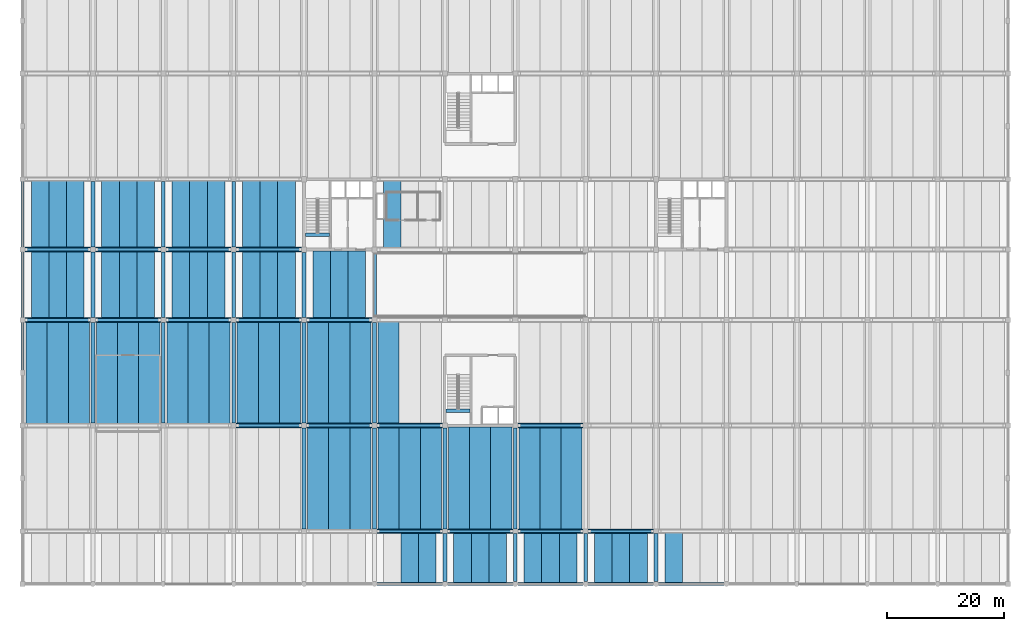
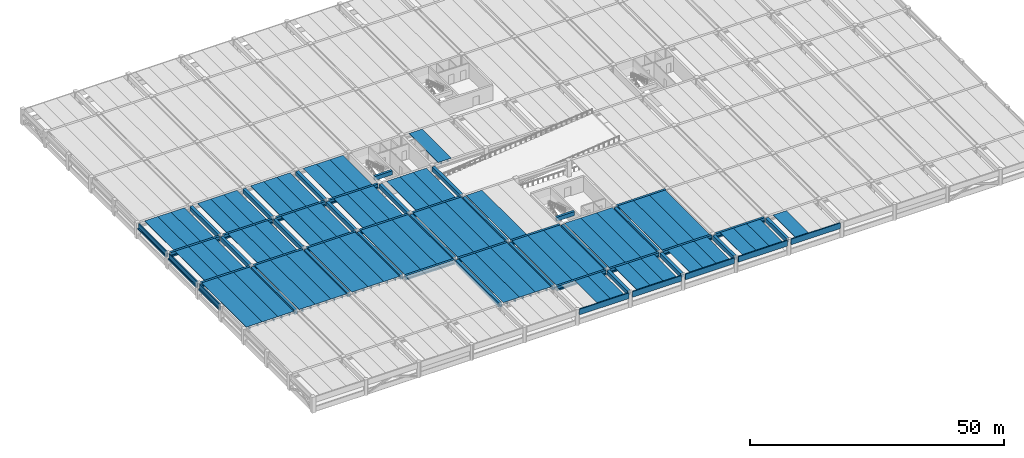
# One storey, part 2 of 19: 116 beams.
"""IFC4 building model written with IfcOpenShell, lengths in metres."""

from ifc_helpers import new_model, si_unit, direction, frame, origin, origin_2d, place, context, subcontext, project, spatial, polyline, rectangle, outline, extrude, material, material_profile, profile_set, type_object, element, save


model = new_model("IFC4")

# Units and contexts
model_context = context("Model", 3, precision=1e-05, world=origin(), true_north=direction((0.0, 1.0)))
body_context = subcontext(model_context, "Body", "Model", "MODEL_VIEW")
ifc_project = project(units=[si_unit("LENGTHUNIT", "METRE"), si_unit("AREAUNIT", "SQUARE_METRE"), si_unit("VOLUMEUNIT", "CUBIC_METRE"), si_unit("PLANEANGLEUNIT", "RADIAN"), si_unit("MASSUNIT", "GRAM", prefix="KILO")], contexts=[model_context])

# Site, building, storey
site_placement = place(None, origin())
site = spatial("IfcSite", under=ifc_project, at=site_placement, CompositionType="ELEMENT")
building_placement = place(site_placement, origin())
building = spatial("IfcBuilding", under=site, at=building_placement, Name="Girod Span Mobility Hub", CompositionType="ELEMENT")
storey_placement = place(building_placement, frame((0.0, 0.0, 13.39990234375)))
storey = spatial("IfcBuildingStorey", under=building, at=storey_placement, Name="L03", CompositionType="ELEMENT", Elevation=13.39990234375)

# Beams
ifc_material_1 = material(Name="Concrete C50/60", Category="concrete")
ifc_material_profile_1 = material_profile(ifc_material_1, outline(polyline([(-1.5, 0.35009765625), (-1.5, 0.2548828125), (-0.840087890625, 0.2548828125), (-0.81494140625, -0.35009765625), (-0.68505859375, -0.35009765625), (-0.659912109375, 0.2548828125), (0.659912109375, 0.2548828125), (0.68505859375, -0.35009765625), (0.81494140625, -0.35009765625), (0.840087890625, 0.2548828125), (1.5, 0.2548828125), (1.5, 0.35009765625), (-1.5, 0.35009765625)])), Name="DT-3000X700")
ifc_profile_set_1 = profile_set([ifc_material_profile_1], Name="Concrete C50/60")
beam_type_1 = type_object("IfcBeamType", Name="BM-DT-3000X700", PredefinedType="JOIST", material=ifc_profile_set_1)
for number, where, z_axis, x_axis, name in (
    (1, (3.0, 45.2470703125, 3.26513671875), (0.0, 1.0, 0.0), (-1.0, 0.0, 0.0), "Double-Tee Deck 1/D-1 L03"),
    (2, (6.0, 45.2470703125, 3.26513671875), (0.0, 1.0, 0.0), (-1.0, 0.0, 0.0), "Double-Tee Deck 1/D-2 L03"),
    (3, (9.0, 45.2470703125, 3.26513671875), (0.0, 1.0, 0.0), (-1.0, 0.0, 0.0), "Double-Tee Deck 1/D-3 L03"),
    (4, (3.0, 57.2470703125, 3.26513671875), (0.0, 1.0, 0.0), (-1.0, 0.0, 0.0), "Double-Tee Deck 1/E-1 L03"),
    (5, (6.0, 57.2470703125, 3.26513671875), (0.0, 1.0, 0.0), (-1.0, 0.0, 0.0), "Double-Tee Deck 1/E-2 L03"),
    (6, (9.0, 57.2470703125, 3.26513671875), (0.0, 1.0, 0.0), (-1.0, 0.0, 0.0), "Double-Tee Deck 1/E-3 L03"),
    (7, (15.0, 45.2470703125, 3.26513671875), (0.0, 1.0, 0.0), (-1.0, 0.0, 0.0), "Double-Tee Deck 2/D-1 L03"),
    (8, (18.0, 45.2470703125, 3.26513671875), (0.0, 1.0, 0.0), (-1.0, 0.0, 0.0), "Double-Tee Deck 2/D-2 L03"),
    (9, (21.0, 45.2470703125, 3.26513671875), (0.0, 1.0, 0.0), (-1.0, 0.0, 0.0), "Double-Tee Deck 2/D-3 L03"),
    (10, (15.0, 57.2470703125, 3.26513671875), (0.0, 1.0, 0.0), (-1.0, 0.0, 0.0), "Double-Tee Deck 2/E-1 L03"),
    (11, (18.0, 57.2470703125, 3.26513671875), (0.0, 1.0, 0.0), (-1.0, 0.0, 0.0), "Double-Tee Deck 2/E-2 L03"),
    (12, (21.0, 57.2470703125, 3.26513671875), (0.0, 1.0, 0.0), (-1.0, 0.0, 0.0), "Double-Tee Deck 2/E-3 L03"),
    (13, (27.0, 45.2470703125, 3.26513671875), (0.0, 1.0, 0.0), (-1.0, 0.0, 0.0), "Double-Tee Deck 3/D-1 L03"),
    (14, (30.0, 45.2470703125, 3.26513671875), (0.0, 1.0, 0.0), (-1.0, 0.0, 0.0), "Double-Tee Deck 3/D-2 L03"),
    (15, (33.0, 45.2470703125, 3.26513671875), (0.0, 1.0, 0.0), (-1.0, 0.0, 0.0), "Double-Tee Deck 3/D-3 L03"),
    (16, (27.0, 57.2470703125, 3.26513671875), (0.0, 1.0, 0.0), (-1.0, 0.0, 0.0), "Double-Tee Deck 3/E-1 L03"),
    (17, (30.0, 57.2470703125, 3.26513671875), (0.0, 1.0, 0.0), (-1.0, 0.0, 0.0), "Double-Tee Deck 3/E-2 L03"),
    (18, (33.0, 57.2470703125, 3.26513671875), (0.0, 1.0, 0.0), (-1.0, 0.0, 0.0), "Double-Tee Deck 3/E-3 L03"),
    (19, (39.0, 45.2470703125, 3.26513671875), (0.0, 1.0, 0.0), (-1.0, 0.0, 0.0), "Double-Tee Deck 4/D-1 L03"),
    (20, (42.0, 45.2470703125, 3.26513671875), (0.0, 1.0, 0.0), (-1.0, 0.0, 0.0), "Double-Tee Deck 4/D-2 L03"),
    (21, (45.0, 45.2470703125, 3.26513671875), (0.0, 1.0, 0.0), (-1.0, 0.0, 0.0), "Double-Tee Deck 4/D-3 L03"),
    (22, (39.0, 57.2470703125, 3.26513671875), (0.0, 1.0, 0.0), (-1.0, 0.0, 0.0), "Double-Tee Deck 4/E-1 L03"),
    (23, (42.0, 57.2470703125, 3.26513671875), (0.0, 1.0, 0.0), (-1.0, 0.0, 0.0), "Double-Tee Deck 4/E-2 L03"),
    (24, (45.0, 57.2470703125, 3.26513671875), (0.0, 1.0, 0.0), (-1.0, 0.0, 0.0), "Double-Tee Deck 4/E-3 L03"),
    (25, (51.0, 45.2470703125, 3.26513671875), (0.0, 1.0, 0.0), (-1.0, 0.0, 0.0), "Double-Tee Deck 5/D-1 L03"),
    (26, (54.0, 45.2470703125, 3.26513671875), (0.0, 1.0, 0.0), (-1.0, 0.0, 0.0), "Double-Tee Deck 5/D-2 L03"),
    (27, (57.0, 45.2470703125, 3.26513671875), (0.0, 1.0, 0.0), (-1.0, 0.0, 0.0), "Double-Tee Deck 5/D-3 L03"),
):
    element("IfcBeam", number, at=place(storey_placement, frame(where, z_axis=z_axis, x_axis=x_axis)), inside=storey, type_object=beam_type_1, Name=name, PredefinedType="JOIST", context=body_context, shape_type="SweptSolid", body=[
        extrude(outline(polyline([(-1.5, 0.35009765625), (-1.5, 0.2548828125), (-0.840087890625, 0.2548828125), (-0.81494140625, -0.35009765625), (-0.68505859375, -0.35009765625), (-0.659912109375, 0.2548828125), (0.659912109375, 0.2548828125), (0.68505859375, -0.35009765625), (0.81494140625, -0.35009765625), (0.840087890625, 0.2548828125), (1.5, 0.2548828125), (1.5, 0.35009765625), (-1.5, 0.35009765625)])), origin(), (0.0, 0.0, 1.0), 11.505859375),
    ])
for number, where, z_axis, x_axis, name in (
    (28, (66.0, 0.02197265625, 3.26513671875), (0.0, 1.0, 0.0), (-1.0, 0.0, 0.0), "Double-Tee Deck 6/A-2 L03"),
    (29, (69.0, 0.02197265625, 3.26513671875), (0.0, 1.0, 0.0), (-1.0, 0.0, 0.0), "Double-Tee Deck 6/A-3 L03"),
):
    element("IfcBeam", number, at=place(storey_placement, frame(where, z_axis=z_axis, x_axis=x_axis)), inside=storey, type_object=beam_type_1, Name=name, PredefinedType="JOIST", context=body_context, shape_type="SweptSolid", body=[
        extrude(outline(polyline([(-1.5, 0.35009765625), (-1.5, 0.2548828125), (-0.840087890625, 0.2548828125), (-0.81494140625, -0.35009765625), (-0.68505859375, -0.35009765625), (-0.659912109375, 0.2548828125), (0.659912109375, 0.2548828125), (0.68505859375, -0.35009765625), (0.81494140625, -0.35009765625), (0.840087890625, 0.2548828125), (1.5, 0.2548828125), (1.5, 0.35009765625), (-1.5, 0.35009765625)])), origin(), (0.0, 0.0, 1.0), 8.73095703125),
    ])
beam_1_placement = place(storey_placement, frame((63.0, 57.2470703125, 3.26513671875), z_axis=(0.0, 1.0, 0.0), x_axis=(-1.0, 0.0, 0.0)))
element("IfcBeam", 30, at=beam_1_placement, inside=storey, type_object=beam_type_1, Name="Double-Tee Deck 6/E-1 L03", PredefinedType="JOIST", context=body_context, shape_type="SweptSolid", body=[
    extrude(outline(polyline([(-1.5, 0.35009765625), (-1.5, 0.2548828125), (-0.840087890625, 0.2548828125), (-0.81494140625, -0.35009765625), (-0.68505859375, -0.35009765625), (-0.659912109375, 0.2548828125), (0.659912109375, 0.2548828125), (0.68505859375, -0.35009765625), (0.81494140625, -0.35009765625), (0.840087890625, 0.2548828125), (1.5, 0.2548828125), (1.5, 0.35009765625), (-1.5, 0.35009765625)])), origin(), (0.0, 0.0, 1.0), 11.505859375),
])
for number, where, z_axis, x_axis, name in (
    (31, (75.0, 0.02197265625, 3.26513671875), (0.0, 1.0, 0.0), (-1.0, 0.0, 0.0), "Double-Tee Deck 7/A-1 L03"),
    (32, (78.0, 0.02197265625, 3.26513671875), (0.0, 1.0, 0.0), (-1.0, 0.0, 0.0), "Double-Tee Deck 7/A-2 L03"),
    (33, (81.0, 0.02197265625, 3.26513671875), (0.0, 1.0, 0.0), (-1.0, 0.0, 0.0), "Double-Tee Deck 7/A-3 L03"),
    (34, (87.0, 0.02197265625, 3.26513671875), (0.0, 1.0, 0.0), (-1.0, 0.0, 0.0), "Double-Tee Deck 8/A-1 L03"),
    (35, (90.0, 0.02197265625, 3.26513671875), (0.0, 1.0, 0.0), (-1.0, 0.0, 0.0), "Double-Tee Deck 8/A-2 L03"),
    (36, (93.0, 0.02197265625, 3.26513671875), (0.0, 1.0, 0.0), (-1.0, 0.0, 0.0), "Double-Tee Deck 8/A-3 L03"),
    (37, (99.0, 0.02197265625, 3.26513671875), (0.0, 1.0, 0.0), (-1.0, 0.0, 0.0), "Double-Tee Deck 9/A-1 L03"),
    (38, (102.0, 0.02197265625, 3.26513671875), (0.0, 1.0, 0.0), (-1.0, 0.0, 0.0), "Double-Tee Deck 9/A-2 L03"),
    (39, (105.0, 0.02197265625, 3.26513671875), (0.0, 1.0, 0.0), (-1.0, 0.0, 0.0), "Double-Tee Deck 9/A-3 L03"),
    (40, (111.0, 0.02197265625, 3.26513671875), (0.0, 1.0, 0.0), (-1.0, 0.0, 0.0), "Double-Tee Deck 10/A-1 L03"),
):
    element("IfcBeam", number, at=place(storey_placement, frame(where, z_axis=z_axis, x_axis=x_axis)), inside=storey, type_object=beam_type_1, Name=name, PredefinedType="JOIST", context=body_context, shape_type="SweptSolid", body=[
        extrude(outline(polyline([(-1.5, 0.35009765625), (-1.5, 0.2548828125), (-0.840087890625, 0.2548828125), (-0.81494140625, -0.35009765625), (-0.68505859375, -0.35009765625), (-0.659912109375, 0.2548828125), (0.659912109375, 0.2548828125), (0.68505859375, -0.35009765625), (0.81494140625, -0.35009765625), (0.840087890625, 0.2548828125), (1.5, 0.2548828125), (1.5, 0.35009765625), (-1.5, 0.35009765625)])), origin(), (0.0, 0.0, 1.0), 8.73095703125),
    ])
ifc_material_2 = material(Name="Concrete C50/60", Category="concrete")
ifc_material_profile_2 = material_profile(ifc_material_2, outline(polyline([(-1.800048828125, 0.425048828125), (-1.800048828125, 0.324951171875), (-1.0, 0.324951171875), (-0.969970703125, -0.425048828125), (-0.830078125, -0.425048828125), (-0.800048828125, 0.324951171875), (0.800048828125, 0.324951171875), (0.830078125, -0.425048828125), (0.969970703125, -0.425048828125), (1.0, 0.324951171875), (1.800048828125, 0.324951171875), (1.800048828125, 0.425048828125), (-1.800048828125, 0.425048828125)])), Name="DT-3600X850")
ifc_profile_set_2 = profile_set([ifc_material_profile_2], Name="Concrete C50/60")
beam_type_2 = type_object("IfcBeamType", Name="BM-DT-3600X850", PredefinedType="JOIST", material=ifc_profile_set_2)
for number, where, z_axis, x_axis, name in (
    (41, (2.39990234375, 27.2470703125, 3.190185546875), (0.0, 1.0, 0.0), (-1.0, 0.0, 0.0), "Double-Tee Deck 1/C-1 L03"),
    (42, (6.0, 27.2470703125, 3.190185546875), (0.0, 1.0, 0.0), (-1.0, 0.0, 0.0), "Double-Tee Deck 1/C-2 L03"),
    (43, (9.60009765625, 27.2470703125, 3.190185546875), (0.0, 1.0, 0.0), (-1.0, 0.0, 0.0), "Double-Tee Deck 1/C-3 L03"),
    (44, (14.39990234375, 27.2470703125, 3.190185546875), (0.0, 1.0, 0.0), (-1.0, 0.0, 0.0), "Double-Tee Deck 2/C-1 L03"),
    (45, (18.0, 27.2470703125, 3.190185546875), (0.0, 1.0, 0.0), (-1.0, 0.0, 0.0), "Double-Tee Deck 2/C-2 L03"),
    (46, (21.60009765625, 27.2470703125, 3.190185546875), (0.0, 1.0, 0.0), (-1.0, 0.0, 0.0), "Double-Tee Deck 2/C-3 L03"),
    (47, (26.39990234375, 27.2470703125, 3.190185546875), (0.0, 1.0, 0.0), (-1.0, 0.0, 0.0), "Double-Tee Deck 3/C-1 L03"),
    (48, (30.0, 27.2470703125, 3.190185546875), (0.0, 1.0, 0.0), (-1.0, 0.0, 0.0), "Double-Tee Deck 3/C-2 L03"),
    (49, (33.60009765625, 27.2470703125, 3.190185546875), (0.0, 1.0, 0.0), (-1.0, 0.0, 0.0), "Double-Tee Deck 3/C-3 L03"),
    (50, (38.39990234375, 27.2470703125, 3.190185546875), (0.0, 1.0, 0.0), (-1.0, 0.0, 0.0), "Double-Tee Deck 4/C-1 L03"),
    (51, (42.0, 27.2470703125, 3.190185546875), (0.0, 1.0, 0.0), (-1.0, 0.0, 0.0), "Double-Tee Deck 4/C-2 L03"),
    (52, (45.60009765625, 27.2470703125, 3.190185546875), (0.0, 1.0, 0.0), (-1.0, 0.0, 0.0), "Double-Tee Deck 4/C-3 L03"),
    (53, (50.39990234375, 9.2470703125, 3.190185546875), (0.0, 1.0, 0.0), (-1.0, 0.0, 0.0), "Double-Tee Deck 5/B-1 L03"),
    (54, (54.0, 9.2470703125, 3.190185546875), (0.0, 1.0, 0.0), (-1.0, 0.0, 0.0), "Double-Tee Deck 5/B-2 L03"),
    (55, (57.60009765625, 9.2470703125, 3.190185546875), (0.0, 1.0, 0.0), (-1.0, 0.0, 0.0), "Double-Tee Deck 5/B-3 L03"),
    (56, (50.39990234375, 27.2470703125, 3.190185546875), (0.0, 1.0, 0.0), (-1.0, 0.0, 0.0), "Double-Tee Deck 5/C-1 L03"),
    (57, (54.0, 27.2470703125, 3.190185546875), (0.0, 1.0, 0.0), (-1.0, 0.0, 0.0), "Double-Tee Deck 5/C-2 L03"),
    (58, (57.60009765625, 27.2470703125, 3.190185546875), (0.0, 1.0, 0.0), (-1.0, 0.0, 0.0), "Double-Tee Deck 5/C-3 L03"),
    (59, (62.39990234375, 9.2470703125, 3.190185546875), (0.0, 1.0, 0.0), (-1.0, 0.0, 0.0), "Double-Tee Deck 6/B-1 L03"),
    (60, (66.0, 9.2470703125, 3.190185546875), (0.0, 1.0, 0.0), (-1.0, 0.0, 0.0), "Double-Tee Deck 6/B-2 L03"),
    (61, (69.60009765625, 9.2470703125, 3.190185546875), (0.0, 1.0, 0.0), (-1.0, 0.0, 0.0), "Double-Tee Deck 6/B-3 L03"),
    (62, (62.39990234375, 27.2470703125, 3.190185546875), (0.0, 1.0, 0.0), (-1.0, 0.0, 0.0), "Double-Tee Deck 6/C-1 L03"),
):
    element("IfcBeam", number, at=place(storey_placement, frame(where, z_axis=z_axis, x_axis=x_axis)), inside=storey, type_object=beam_type_2, Name=name, PredefinedType="JOIST", context=body_context, shape_type="SweptSolid", body=[
        extrude(outline(polyline([(-1.800048828125, 0.425048828125), (-1.800048828125, 0.324951171875), (-1.0, 0.324951171875), (-0.969970703125, -0.425048828125), (-0.830078125, -0.425048828125), (-0.800048828125, 0.324951171875), (0.800048828125, 0.324951171875), (0.830078125, -0.425048828125), (0.969970703125, -0.425048828125), (1.0, 0.324951171875), (1.800048828125, 0.324951171875), (1.800048828125, 0.425048828125), (-1.800048828125, 0.425048828125)])), origin(), (0.0, 0.0, 1.0), 17.505859375),
    ])
for number, where, z_axis, x_axis, name in (
    (63, (74.39990234375, 9.2470703125, 3.190185546875), (0.0, 1.0, 0.0), (-1.0, 0.0, 0.0), "Double-Tee Deck 7/B-1 L03"),
    (64, (78.0, 9.2470703125, 3.190185546875), (0.0, 1.0, 0.0), (-1.0, 0.0, 0.0), "Double-Tee Deck 7/B-2 L03"),
    (65, (81.60009765625, 9.2470703125, 3.190185546875), (0.0, 1.0, 0.0), (-1.0, 0.0, 0.0), "Double-Tee Deck 7/B-3 L03"),
):
    element("IfcBeam", number, at=place(storey_placement, frame(where, z_axis=z_axis, x_axis=x_axis)), inside=storey, type_object=beam_type_2, Name=name, PredefinedType="JOIST", context=body_context, shape_type="SweptSolid", body=[
        extrude(outline(polyline([(-1.800048828125, 0.425048828125), (-1.800048828125, 0.324951171875), (-1.0, 0.324951171875), (-0.969970703125, -0.425048828125), (-0.830078125, -0.425048828125), (-0.800048828125, 0.324951171875), (0.800048828125, 0.324951171875), (0.830078125, -0.425048828125), (0.969970703125, -0.425048828125), (1.0, 0.324951171875), (1.800048828125, 0.324951171875), (1.800048828125, 0.425048828125), (-1.800048828125, 0.425048828125)])), origin(), (0.0, 0.0, 1.0), 17.531005859375),
    ])
for number, where, z_axis, x_axis, name in (
    (66, (86.39990234375, 9.2470703125, 3.190185546875), (0.0, 1.0, 0.0), (-1.0, 0.0, 0.0), "Double-Tee Deck 8/B-1 L03"),
    (67, (90.0, 9.2470703125, 3.190185546875), (0.0, 1.0, 0.0), (-1.0, 0.0, 0.0), "Double-Tee Deck 8/B-2 L03"),
    (68, (93.60009765625, 9.2470703125, 3.190185546875), (0.0, 1.0, 0.0), (-1.0, 0.0, 0.0), "Double-Tee Deck 8/B-3 L03"),
):
    element("IfcBeam", number, at=place(storey_placement, frame(where, z_axis=z_axis, x_axis=x_axis)), inside=storey, type_object=beam_type_2, Name=name, PredefinedType="JOIST", context=body_context, shape_type="SweptSolid", body=[
        extrude(outline(polyline([(-1.800048828125, 0.425048828125), (-1.800048828125, 0.324951171875), (-1.0, 0.324951171875), (-0.969970703125, -0.425048828125), (-0.830078125, -0.425048828125), (-0.800048828125, 0.324951171875), (0.800048828125, 0.324951171875), (0.830078125, -0.425048828125), (0.969970703125, -0.425048828125), (1.0, 0.324951171875), (1.800048828125, 0.324951171875), (1.800048828125, 0.425048828125), (-1.800048828125, 0.425048828125)])), origin(), (0.0, 0.0, 1.0), 17.505859375),
    ])
ifc_material_3 = material(Name="Concrete C50/60", Category="concrete")
ifc_material_profile_3 = material_profile(ifc_material_3, outline(polyline([(-0.425048828125, -0.47509765625), (0.425048828125, -0.47509765625), (0.425048828125, -0.155029296875), (0.25, -0.155029296875), (0.25, 0.47509765625), (-0.25, 0.47509765625), (-0.25, -0.155029296875), (-0.425048828125, -0.155029296875), (-0.425048828125, -0.47509765625)])), Name="IT-850X950")
ifc_profile_set_3 = profile_set([ifc_material_profile_3], Name="Concrete C50/60")
beam_type_3 = type_object("IfcBeamType", Name="BM-IT-850X950", PredefinedType="T_BEAM", material=ifc_profile_set_3)
for number, where, z_axis, x_axis, name in (
    (69, (60.422119140625, 9.0, 3.14013671875), (1.0, 0.0, 0.0), (0.0, 1.0, 0.0), "Girder 6-7/B L03"),
    (70, (72.422119140625, 9.0, 3.14013671875), (1.0, 0.0, 0.0), (0.0, 1.0, 0.0), "Girder 7-8/B L03"),
    (71, (84.422119140625, 9.0, 3.14013671875), (1.0, 0.0, 0.0), (0.0, 1.0, 0.0), "Girder 8-9/B L03"),
    (72, (96.422119140625, 9.0, 3.14013671875), (1.0, 0.0, 0.0), (0.0, 1.0, 0.0), "Girder 9-10/B L03"),
    (73, (36.422119140625, 27.0, 3.14013671875), (1.0, 0.0, 0.0), (0.0, 1.0, 0.0), "Girder 4-5/C L03"),
    (74, (48.422119140625, 27.0, 3.14013671875), (1.0, 0.0, 0.0), (0.0, 1.0, 0.0), "Girder 5-6/C L03"),
    (75, (60.422119140625, 27.0, 3.14013671875), (1.0, 0.0, 0.0), (0.0, 1.0, 0.0), "Girder 6-7/C L03"),
    (76, (84.422119140625, 27.0, 3.14013671875), (1.0, 0.0, 0.0), (0.0, 1.0, 0.0), "Girder 8-9/C L03"),
    (77, (0.422119140625, 45.0, 3.14013671875), (1.0, 0.0, 0.0), (0.0, 1.0, 0.0), "Girder 1-2/D L03"),
    (78, (12.422119140625, 45.0, 3.14013671875), (1.0, 0.0, 0.0), (0.0, 1.0, 0.0), "Girder 2-3/D L03"),
    (79, (24.422119140625, 45.0, 3.14013671875), (1.0, 0.0, 0.0), (0.0, 1.0, 0.0), "Girder 3-4/D L03"),
):
    element("IfcBeam", number, at=place(storey_placement, frame(where, z_axis=z_axis, x_axis=x_axis)), inside=storey, type_object=beam_type_3, Name=name, PredefinedType="T_BEAM", context=body_context, shape_type="SweptSolid", body=[
        extrude(outline(polyline([(-0.425048828125, -0.47509765625), (0.425048828125, -0.47509765625), (0.425048828125, -0.155029296875), (0.25, -0.155029296875), (0.25, 0.47509765625), (-0.25, 0.47509765625), (-0.25, -0.155029296875), (-0.425048828125, -0.155029296875), (-0.425048828125, -0.47509765625)])), origin(), (0.0, 0.0, 1.0), 11.15576171875),
    ])
beam_2_placement = place(storey_placement, frame((36.422119140625, 45.0, 3.14013671875), z_axis=(1.0, 0.0, 0.0), x_axis=(0.0, 1.0, 0.0)))
element("IfcBeam", 80, at=beam_2_placement, inside=storey, type_object=beam_type_3, Name="Girder 4-5/D L03", PredefinedType="T_BEAM", context=body_context, shape_type="SweptSolid", body=[
    extrude(outline(polyline([(-0.425048828125, -0.47509765625), (0.425048828125, -0.47509765625), (0.425048828125, -0.155029296875), (0.25, -0.155029296875), (0.25, 0.47509765625), (-0.25, 0.47509765625), (-0.25, -0.155029296875), (-0.425048828125, -0.155029296875), (-0.425048828125, -0.47509765625)])), origin(), (0.0, 0.0, 1.0), 11.130859375),
])
beam_3_placement = place(storey_placement, frame((48.447021484375, 45.0, 3.14013671875), z_axis=(1.0, 0.0, 0.0), x_axis=(0.0, 1.0, 0.0)))
element("IfcBeam", 81, at=beam_3_placement, inside=storey, type_object=beam_type_3, Name="Girder 5-6/D L03", PredefinedType="T_BEAM", context=body_context, shape_type="SweptSolid", body=[
    extrude(outline(polyline([(-0.425048828125, -0.47509765625), (0.425048828125, -0.47509765625), (0.425048828125, -0.155029296875), (0.25, -0.155029296875), (0.25, 0.47509765625), (-0.25, 0.47509765625), (-0.25, -0.155029296875), (-0.425048828125, -0.155029296875), (-0.425048828125, -0.47509765625)])), origin(), (0.0, 0.0, 1.0), 11.10595703125),
])
for number, where, z_axis, x_axis, name in (
    (82, (0.422119140625, 57.0, 3.14013671875), (1.0, 0.0, 0.0), (0.0, 1.0, 0.0), "Girder 1-2/E L03"),
    (83, (12.422119140625, 57.0, 3.14013671875), (1.0, 0.0, 0.0), (0.0, 1.0, 0.0), "Girder 2-3/E L03"),
    (84, (24.422119140625, 57.0, 3.14013671875), (1.0, 0.0, 0.0), (0.0, 1.0, 0.0), "Girder 3-4/E L03"),
):
    element("IfcBeam", number, at=place(storey_placement, frame(where, z_axis=z_axis, x_axis=x_axis)), inside=storey, type_object=beam_type_3, Name=name, PredefinedType="T_BEAM", context=body_context, shape_type="SweptSolid", body=[
        extrude(outline(polyline([(-0.425048828125, -0.47509765625), (0.425048828125, -0.47509765625), (0.425048828125, -0.155029296875), (0.25, -0.155029296875), (0.25, 0.47509765625), (-0.25, 0.47509765625), (-0.25, -0.155029296875), (-0.425048828125, -0.155029296875), (-0.425048828125, -0.47509765625)])), origin(), (0.0, 0.0, 1.0), 11.15576171875),
    ])
beam_4_placement = place(storey_placement, frame((36.422119140625, 57.0, 3.14013671875), z_axis=(1.0, 0.0, 0.0), x_axis=(0.0, 1.0, 0.0)))
element("IfcBeam", 85, at=beam_4_placement, inside=storey, type_object=beam_type_3, Name="Girder 4-5/E L03", PredefinedType="T_BEAM", context=body_context, shape_type="SweptSolid", body=[
    extrude(outline(polyline([(-0.425048828125, -0.47509765625), (0.425048828125, -0.47509765625), (0.425048828125, -0.155029296875), (0.25, -0.155029296875), (0.25, 0.47509765625), (-0.25, 0.47509765625), (-0.25, -0.155029296875), (-0.425048828125, -0.155029296875), (-0.425048828125, -0.47509765625)])), origin(), (0.0, 0.0, 1.0), 11.130859375),
])
ifc_material_4 = material(Name="Concrete C40/50", Category="concrete")
ifc_material_profile_4 = material_profile(ifc_material_4, rectangle(XDim=0.550048828125, YDim=0.949951171875, at=origin_2d()), Name="RK-550X950")
ifc_profile_set_4 = profile_set([ifc_material_profile_4], Name="Concrete C40/50")
beam_type_4 = type_object("IfcBeamType", Name="BM-RK-550X950", PredefinedType="BEAM", material=ifc_profile_set_4)
beam_5_placement = place(storey_placement, frame((48.2470703125, 59.550048828125, 3.14013671875), z_axis=(1.0, 0.0, 0.0), x_axis=(0.0, 1.0, 0.0)))
element("IfcBeam", 86, at=beam_5_placement, inside=storey, type_object=beam_type_4, Name="Stair ST-1 Landing Header Beam L03", PredefinedType="BEAM", context=body_context, shape_type="SweptSolid", body=[
    extrude(rectangle(XDim=0.550048828125, YDim=0.949951171875, at=origin_2d()), origin(), (0.0, 0.0, 1.0), 4.055908203125),
])
beam_6_placement = place(storey_placement, frame((72.221923828125, 29.550048828125, 3.14013671875), z_axis=(1.0, 0.0, 0.0), x_axis=(0.0, 1.0, 0.0)))
element("IfcBeam", 87, at=beam_6_placement, inside=storey, type_object=beam_type_4, Name="Stair ST-3 Landing Header Beam L03", PredefinedType="BEAM", context=body_context, shape_type="SweptSolid", body=[
    extrude(rectangle(XDim=0.550048828125, YDim=0.949951171875, at=origin_2d()), origin(), (0.0, 0.0, 1.0), 4.0810546875),
])
ifc_material_5 = material(Name="Concrete C40/50", Category="concrete")
ifc_material_profile_5 = material_profile(ifc_material_5, outline(polyline([(-0.22509765625, -0.675048828125), (0.22509765625, -0.675048828125), (0.22509765625, -0.324951171875), (0.02490234375, -0.324951171875), (0.02490234375, 0.675048828125), (-0.22509765625, 0.675048828125), (-0.22509765625, -0.675048828125)])), Name="SP-450X1350")
ifc_profile_set_5 = profile_set([ifc_material_profile_5], Name="Concrete C40/50")
beam_type_5 = type_object("IfcBeamType", Name="BM-SP-450X1350", PredefinedType="SPANDREL", material=ifc_profile_set_5)
for number, where, z_axis, x_axis, name in (
    (88, (60.422119140625, 0.0, 2.940185546875), (1.0, 0.0, 0.0), (0.0, 1.0, 0.0), "Girder 6-7/A L03"),
    (89, (72.422119140625, 0.0, 2.940185546875), (1.0, 0.0, 0.0), (0.0, 1.0, 0.0), "Girder 7-8/A L03"),
    (90, (84.422119140625, 0.0, 2.940185546875), (1.0, 0.0, 0.0), (0.0, 1.0, 0.0), "Girder 8-9/A L03"),
    (91, (96.422119140625, 0.0, 2.940185546875), (1.0, 0.0, 0.0), (0.0, 1.0, 0.0), "Girder 9-10/A L03"),
    (92, (108.422119140625, 0.0, 2.940185546875), (1.0, 0.0, 0.0), (0.0, 1.0, 0.0), "Girder 10-11/A L03"),
):
    element("IfcBeam", number, at=place(storey_placement, frame(where, z_axis=z_axis, x_axis=x_axis)), inside=storey, type_object=beam_type_5, Name=name, PredefinedType="SPANDREL", context=body_context, shape_type="SweptSolid", body=[
        extrude(outline(polyline([(-0.22509765625, -0.675048828125), (0.22509765625, -0.675048828125), (0.22509765625, -0.324951171875), (0.02490234375, -0.324951171875), (0.02490234375, 0.675048828125), (-0.22509765625, 0.675048828125), (-0.22509765625, -0.675048828125)])), origin(), (0.0, 0.0, 1.0), 11.15576171875),
    ])
beam_7_placement = place(storey_placement, frame((0.0, 36.471923828125, 2.940185546875), z_axis=(0.0, 1.0, 0.0), x_axis=(-1.0, 0.0, 0.0)))
element("IfcBeam", 93, at=beam_7_placement, inside=storey, type_object=beam_type_5, Name="Perimeter Spandrel 1/C-N L03", PredefinedType="SPANDREL", context=body_context, shape_type="SweptSolid", body=[
    extrude(outline(polyline([(-0.22509765625, -0.675048828125), (0.22509765625, -0.675048828125), (0.22509765625, -0.324951171875), (0.02490234375, -0.324951171875), (0.02490234375, 0.675048828125), (-0.22509765625, 0.675048828125), (-0.22509765625, -0.675048828125)])), origin(), (0.0, 0.0, 1.0), 8.10595703125),
])
for number, where, z_axis, x_axis, name in (
    (94, (0.0, 45.422119140625, 2.940185546875), (0.0, 1.0, 0.0), (-1.0, 0.0, 0.0), "Tie Girder 1/D-E L03"),
    (95, (0.0, 57.422119140625, 2.940185546875), (0.0, 1.0, 0.0), (-1.0, 0.0, 0.0), "Tie Girder 1/E-F L03"),
):
    element("IfcBeam", number, at=place(storey_placement, frame(where, z_axis=z_axis, x_axis=x_axis)), inside=storey, type_object=beam_type_5, Name=name, PredefinedType="SPANDREL", context=body_context, shape_type="SweptSolid", body=[
        extrude(outline(polyline([(-0.22509765625, -0.675048828125), (0.22509765625, -0.675048828125), (0.22509765625, -0.324951171875), (0.02490234375, -0.324951171875), (0.02490234375, 0.675048828125), (-0.22509765625, 0.675048828125), (-0.22509765625, -0.675048828125)])), origin(), (0.0, 0.0, 1.0), 11.15576171875),
    ])
ifc_material_6 = material(Name="Concrete C40/50", Category="concrete")
ifc_material_profile_6 = material_profile(ifc_material_6, rectangle(XDim=0.64990234375, YDim=1.0, at=origin_2d()), Name="TG-650X1000")
ifc_profile_set_6 = profile_set([ifc_material_profile_6], Name="Concrete C40/50")
beam_type_6 = type_object("IfcBeamType", Name="BM-TG-650X1000", PredefinedType="T_BEAM", material=ifc_profile_set_6)
beam_8_placement = place(storey_placement, frame((12.0, 27.422119140625, 3.114990234375), z_axis=(0.0, 1.0, 0.0), x_axis=(-1.0, 0.0, 0.0)))
element("IfcBeam", 96, at=beam_8_placement, inside=storey, type_object=beam_type_6, Name="Tie Girder 2/C-D L03", PredefinedType="T_BEAM", context=body_context, shape_type="SweptSolid", body=[
    extrude(rectangle(XDim=0.64990234375, YDim=1.0, at=origin_2d()), origin(), (0.0, 0.0, 1.0), 17.15576171875),
])
for number, where, z_axis, x_axis, name in (
    (97, (12.0, 45.422119140625, 3.114990234375), (0.0, 1.0, 0.0), (-1.0, 0.0, 0.0), "Tie Girder 2/D-E L03"),
    (98, (12.0, 57.422119140625, 3.114990234375), (0.0, 1.0, 0.0), (-1.0, 0.0, 0.0), "Tie Girder 2/E-F L03"),
):
    element("IfcBeam", number, at=place(storey_placement, frame(where, z_axis=z_axis, x_axis=x_axis)), inside=storey, type_object=beam_type_6, Name=name, PredefinedType="T_BEAM", context=body_context, shape_type="SweptSolid", body=[
        extrude(rectangle(XDim=0.64990234375, YDim=1.0, at=origin_2d()), origin(), (0.0, 0.0, 1.0), 11.15576171875),
    ])
beam_9_placement = place(storey_placement, frame((24.0, 27.422119140625, 3.114990234375), z_axis=(0.0, 1.0, 0.0), x_axis=(-1.0, 0.0, 0.0)))
element("IfcBeam", 99, at=beam_9_placement, inside=storey, type_object=beam_type_6, Name="Tie Girder 3/C-D L03", PredefinedType="T_BEAM", context=body_context, shape_type="SweptSolid", body=[
    extrude(rectangle(XDim=0.64990234375, YDim=1.0, at=origin_2d()), origin(), (0.0, 0.0, 1.0), 17.15576171875),
])
for number, where, z_axis, x_axis, name in (
    (100, (24.0, 45.422119140625, 3.114990234375), (0.0, 1.0, 0.0), (-1.0, 0.0, 0.0), "Tie Girder 3/D-E L03"),
    (101, (24.0, 57.422119140625, 3.114990234375), (0.0, 1.0, 0.0), (-1.0, 0.0, 0.0), "Tie Girder 3/E-F L03"),
):
    element("IfcBeam", number, at=place(storey_placement, frame(where, z_axis=z_axis, x_axis=x_axis)), inside=storey, type_object=beam_type_6, Name=name, PredefinedType="T_BEAM", context=body_context, shape_type="SweptSolid", body=[
        extrude(rectangle(XDim=0.64990234375, YDim=1.0, at=origin_2d()), origin(), (0.0, 0.0, 1.0), 11.15576171875),
    ])
beam_10_placement = place(storey_placement, frame((36.0, 27.422119140625, 3.114990234375), z_axis=(0.0, 1.0, 0.0), x_axis=(-1.0, 0.0, 0.0)))
element("IfcBeam", 102, at=beam_10_placement, inside=storey, type_object=beam_type_6, Name="Tie Girder 4/C-D L03", PredefinedType="T_BEAM", context=body_context, shape_type="SweptSolid", body=[
    extrude(rectangle(XDim=0.64990234375, YDim=1.0, at=origin_2d()), origin(), (0.0, 0.0, 1.0), 17.15576171875),
])
for number, where, z_axis, x_axis, name in (
    (103, (36.0, 45.422119140625, 3.114990234375), (0.0, 1.0, 0.0), (-1.0, 0.0, 0.0), "Tie Girder 4/D-E L03"),
    (104, (36.0, 57.422119140625, 3.114990234375), (0.0, 1.0, 0.0), (-1.0, 0.0, 0.0), "Tie Girder 4/E-F L03"),
):
    element("IfcBeam", number, at=place(storey_placement, frame(where, z_axis=z_axis, x_axis=x_axis)), inside=storey, type_object=beam_type_6, Name=name, PredefinedType="T_BEAM", context=body_context, shape_type="SweptSolid", body=[
        extrude(rectangle(XDim=0.64990234375, YDim=1.0, at=origin_2d()), origin(), (0.0, 0.0, 1.0), 11.15576171875),
    ])
beam_11_placement = place(storey_placement, frame((48.0, 9.422119140625, 3.114990234375), z_axis=(0.0, 1.0, 0.0), x_axis=(-1.0, 0.0, 0.0)))
element("IfcBeam", 105, at=beam_11_placement, inside=storey, type_object=beam_type_6, Name="Tie Girder 5/B-C L03", PredefinedType="T_BEAM", context=body_context, shape_type="SweptSolid", body=[
    extrude(rectangle(XDim=0.64990234375, YDim=1.0, at=origin_2d()), origin(), (0.0, 0.0, 1.0), 17.15576171875),
])
beam_12_placement = place(storey_placement, frame((48.0, 27.422119140625, 3.114990234375), z_axis=(0.0, 1.0, 0.0), x_axis=(-1.0, 0.0, 0.0)))
element("IfcBeam", 106, at=beam_12_placement, inside=storey, type_object=beam_type_6, Name="Tie Girder 5/C-D L03", PredefinedType="T_BEAM", context=body_context, shape_type="SweptSolid", body=[
    extrude(rectangle(XDim=0.64990234375, YDim=1.0, at=origin_2d()), origin(), (0.0, 0.0, 1.0), 17.130859375),
])
beam_13_placement = place(storey_placement, frame((48.0, 45.447021484375, 3.114990234375), z_axis=(0.0, 1.0, 0.0), x_axis=(-1.0, 0.0, 0.0)))
element("IfcBeam", 107, at=beam_13_placement, inside=storey, type_object=beam_type_6, Name="Tie Girder 5/D-E L03", PredefinedType="T_BEAM", context=body_context, shape_type="SweptSolid", body=[
    extrude(rectangle(XDim=0.64990234375, YDim=1.0, at=origin_2d()), origin(), (0.0, 0.0, 1.0), 11.10595703125),
])
beam_14_placement = place(storey_placement, frame((60.0, 9.422119140625, 3.114990234375), z_axis=(0.0, 1.0, 0.0), x_axis=(-1.0, 0.0, 0.0)))
element("IfcBeam", 108, at=beam_14_placement, inside=storey, type_object=beam_type_6, Name="Tie Girder 6/B-C L03", PredefinedType="T_BEAM", context=body_context, shape_type="SweptSolid", body=[
    extrude(rectangle(XDim=0.64990234375, YDim=1.0, at=origin_2d()), origin(), (0.0, 0.0, 1.0), 17.15576171875),
])
beam_15_placement = place(storey_placement, frame((60.0, 27.422119140625, 3.114990234375), z_axis=(0.0, 1.0, 0.0), x_axis=(-1.0, 0.0, 0.0)))
element("IfcBeam", 109, at=beam_15_placement, inside=storey, type_object=beam_type_6, Name="Tie Girder 6/C-D L03", PredefinedType="T_BEAM", context=body_context, shape_type="SweptSolid", body=[
    extrude(rectangle(XDim=0.64990234375, YDim=1.0, at=origin_2d()), origin(), (0.0, 0.0, 1.0), 17.130859375),
])
beam_16_placement = place(storey_placement, frame((60.0, 45.447021484375, 3.114990234375), z_axis=(0.0, 1.0, 0.0), x_axis=(-1.0, 0.0, 0.0)))
element("IfcBeam", 110, at=beam_16_placement, inside=storey, type_object=beam_type_6, Name="Tie Girder 6/D-E L03", PredefinedType="T_BEAM", context=body_context, shape_type="SweptSolid", body=[
    extrude(rectangle(XDim=0.64990234375, YDim=1.0, at=origin_2d()), origin(), (0.0, 0.0, 1.0), 11.10595703125),
])
beam_17_placement = place(storey_placement, frame((72.0, 0.422119140625, 3.114990234375), z_axis=(0.0, 1.0, 0.0), x_axis=(-1.0, 0.0, 0.0)))
element("IfcBeam", 111, at=beam_17_placement, inside=storey, type_object=beam_type_6, Name="Tie Girder 7/A-B L03", PredefinedType="T_BEAM", context=body_context, shape_type="SweptSolid", body=[
    extrude(rectangle(XDim=0.64990234375, YDim=1.0, at=origin_2d()), origin(), (0.0, 0.0, 1.0), 8.15576171875),
])
beam_18_placement = place(storey_placement, frame((72.0, 9.422119140625, 3.114990234375), z_axis=(0.0, 1.0, 0.0), x_axis=(-1.0, 0.0, 0.0)))
element("IfcBeam", 112, at=beam_18_placement, inside=storey, type_object=beam_type_6, Name="Tie Girder 7/B-C L03", PredefinedType="T_BEAM", context=body_context, shape_type="SweptSolid", body=[
    extrude(rectangle(XDim=0.64990234375, YDim=1.0, at=origin_2d()), origin(), (0.0, 0.0, 1.0), 17.15576171875),
])
beam_19_placement = place(storey_placement, frame((84.0, 0.422119140625, 3.114990234375), z_axis=(0.0, 1.0, 0.0), x_axis=(-1.0, 0.0, 0.0)))
element("IfcBeam", 113, at=beam_19_placement, inside=storey, type_object=beam_type_6, Name="Tie Girder 8/A-B L03", PredefinedType="T_BEAM", context=body_context, shape_type="SweptSolid", body=[
    extrude(rectangle(XDim=0.64990234375, YDim=1.0, at=origin_2d()), origin(), (0.0, 0.0, 1.0), 8.15576171875),
])
beam_20_placement = place(storey_placement, frame((84.0, 9.422119140625, 3.114990234375), z_axis=(0.0, 1.0, 0.0), x_axis=(-1.0, 0.0, 0.0)))
element("IfcBeam", 114, at=beam_20_placement, inside=storey, type_object=beam_type_6, Name="Tie Girder 8/B-C L03", PredefinedType="T_BEAM", context=body_context, shape_type="SweptSolid", body=[
    extrude(rectangle(XDim=0.64990234375, YDim=1.0, at=origin_2d()), origin(), (0.0, 0.0, 1.0), 17.15576171875),
])
for number, where, z_axis, x_axis, name in (
    (115, (96.0, 0.422119140625, 3.114990234375), (0.0, 1.0, 0.0), (-1.0, 0.0, 0.0), "Tie Girder 9/A-B L03"),
    (116, (108.0, 0.422119140625, 3.114990234375), (0.0, 1.0, 0.0), (-1.0, 0.0, 0.0), "Tie Girder 10/A-B L03"),
):
    element("IfcBeam", number, at=place(storey_placement, frame(where, z_axis=z_axis, x_axis=x_axis)), inside=storey, type_object=beam_type_6, Name=name, PredefinedType="T_BEAM", context=body_context, shape_type="SweptSolid", body=[
        extrude(rectangle(XDim=0.64990234375, YDim=1.0, at=origin_2d()), origin(), (0.0, 0.0, 1.0), 8.15576171875),
    ])

save(model, "model.ifc")
